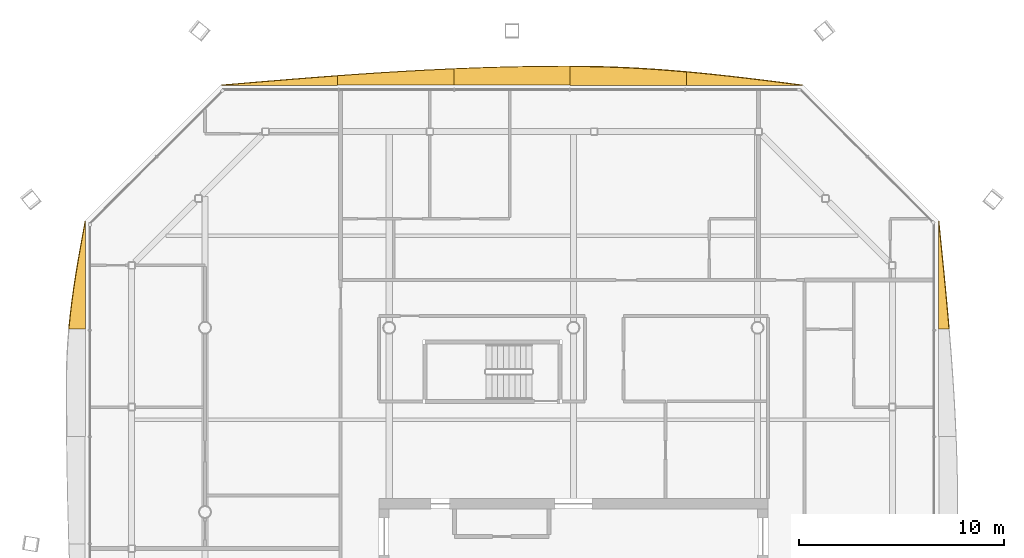
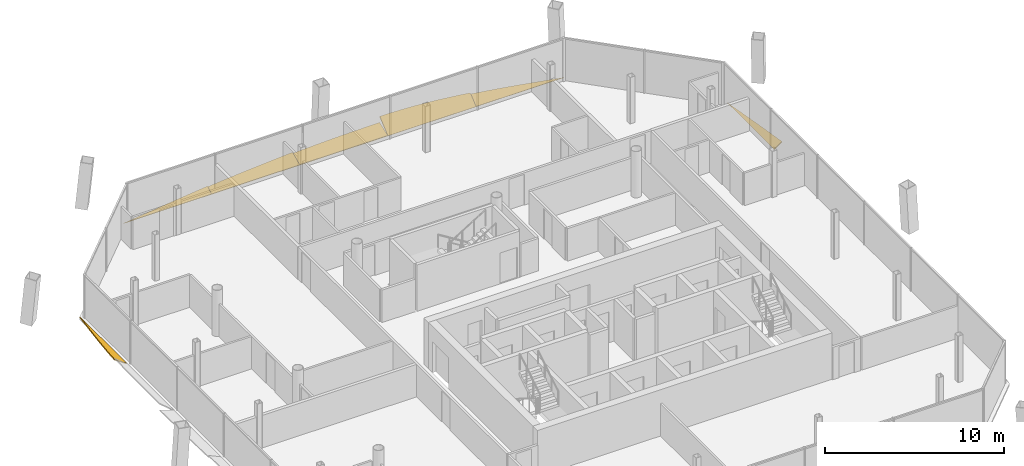
# One storey, part 20 of 20: 7 shading devices.
"""IFC4 building model written with IfcOpenShell, lengths in metres."""

import ifcopenshell
import ifcopenshell.guid

model = None  # the IFC model being written
_history = None  # IfcOwnerHistory: only IFC2X3 demands one
_inside = {}  # id of a spatial element -> (the spatial element, [elements in it])
_under = {}  # id of a project, library or spatial element -> (it, [spatial elements below it])
_declared = {}  # id of a project -> (the project, [libraries it declares])
_typed = {}  # id of a type object -> (the type object, [elements of that type])
_made_of = {}  # id of a material, layer set ... -> (it, [elements and type objects made of it])


def new_model(schema):
    """Start an empty IFC model of exactly this schema.

    Asked for "IFC4X3", IfcOpenShell would pick the latest addendum, in which some entities
    have other attributes; the version numbers below select the first issue.
    IFC2X3 requires an IfcOwnerHistory on every rooted entity: one is made here for all.
    """
    global model, _history
    if schema == "IFC4X3":
        model = ifcopenshell.file(schema_version=(4, 3, 0, 0))
    else:
        model = ifcopenshell.file(schema=schema)
    _inside.clear()
    _under.clear()
    _declared.clear()
    _typed.clear()
    _made_of.clear()
    _history = None
    if model.schema == "IFC2X3":
        org = make("IfcOrganization", Name="unknown")
        user = make(
            "IfcPersonAndOrganization",
            ThePerson=make("IfcPerson", FamilyName="unknown"),
            TheOrganization=org,
        )
        app = make(
            "IfcApplication",
            ApplicationDeveloper=org,
            Version="unknown",
            ApplicationFullName="unknown",
            ApplicationIdentifier="unknown",
        )
        _history = make(
            "IfcOwnerHistory",
            OwningUser=user,
            OwningApplication=app,
            ChangeAction="ADDED",
            CreationDate=0,
        )
    return model


def make(cls, **values):
    """One entity of the class cls with the attributes given. An attribute that is None is left unset."""
    return model.create_entity(
        cls, **{name: value for name, value in values.items() if value is not None}
    )


def rooted(cls, **values):
    """An entity with a GlobalId (a new one), such as an element, a storey or a relation."""
    return make(cls, GlobalId=ifcopenshell.guid.new(), OwnerHistory=_history, **values)


def si_unit(unit_type, name, prefix=None):
    """IfcSIUnit, for example si_unit("LENGTHUNIT", "METRE", prefix="MILLI")."""
    return make("IfcSIUnit", UnitType=unit_type, Prefix=prefix, Name=name)


def assignment(units):
    """IfcUnitAssignment: the units of a project."""
    return None if units is None else make("IfcUnitAssignment", Units=units)


def point(xyz):
    """IfcCartesianPoint."""
    return None if xyz is None else make("IfcCartesianPoint", Coordinates=xyz)


def direction(xyz):
    """IfcDirection."""
    return None if xyz is None else make("IfcDirection", DirectionRatios=xyz)


def frame(location, z_axis=None, x_axis=None):
    """IfcAxis2Placement3D, a coordinate frame: its origin and axes. An axis left out is left unset."""
    return make(
        "IfcAxis2Placement3D",
        Location=point(location),
        Axis=direction(z_axis),
        RefDirection=direction(x_axis),
    )


def origin():
    """The frame at (0, 0, 0) with its axes left unset."""
    return frame((0.0, 0.0, 0.0))


def place(relative_to, where):
    """IfcLocalPlacement: puts the frame where relative to a parent placement (None: the world)."""
    return make(
        "IfcLocalPlacement", PlacementRelTo=relative_to, RelativePlacement=where
    )


def context(
    kind, dimensions, precision=None, world=None, true_north=None, identifier=None
):
    """IfcGeometricRepresentationContext, for example the 3D "Model" context."""
    return make(
        "IfcGeometricRepresentationContext",
        ContextIdentifier=identifier,
        ContextType=kind,
        CoordinateSpaceDimension=dimensions,
        Precision=precision,
        WorldCoordinateSystem=world,
        TrueNorth=true_north,
    )


def subcontext(parent, identifier, kind, view, scale=None):
    """IfcGeometricRepresentationSubContext, for example "Body" below "Model"."""
    return make(
        "IfcGeometricRepresentationSubContext",
        ContextIdentifier=identifier,
        ContextType=kind,
        ParentContext=parent,
        TargetScale=scale,
        TargetView=view,
    )


def project(units=None, contexts=None):
    """IfcProject with its units and contexts."""
    return rooted(
        "IfcProject",
        Name="project",
        RepresentationContexts=contexts,
        UnitsInContext=assignment(units),
    )


def spatial(cls, under=None, at=None, **own):
    """A site, building, storey or space (cls), placed at a placement, below another one or the project."""
    s = rooted(cls, ObjectPlacement=at, **own)
    if under is not None:
        _under.setdefault(under.id(), (under, []))[1].append(s)
    return s


def polyline(points):
    """IfcPolyline through the points."""
    return make("IfcPolyline", Points=[point(p) for p in points])


def outline(outer, holes=None, kind="AREA"):
    """IfcArbitraryClosedProfileDef: a profile drawn as a closed curve; with holes, ...WithVoids."""
    if holes is None:
        return make("IfcArbitraryClosedProfileDef", ProfileType=kind, OuterCurve=outer)
    return make(
        "IfcArbitraryProfileDefWithVoids",
        ProfileType=kind,
        OuterCurve=outer,
        InnerCurves=holes,
    )


def extrude(swept, where, along, depth):
    """IfcExtrudedAreaSolid: the profile swept, set in the frame where, extruded along a direction by depth."""
    return make(
        "IfcExtrudedAreaSolid",
        SweptArea=swept,
        Position=where,
        ExtrudedDirection=direction(along),
        Depth=depth,
    )


def shape(context_of_items, identifier, shape_type, items):
    """IfcShapeRepresentation: the items that make up one representation, for example the "Body"."""
    return make(
        "IfcShapeRepresentation",
        ContextOfItems=context_of_items,
        RepresentationIdentifier=identifier,
        RepresentationType=shape_type,
        Items=items,
    )


def material(Name=None, Category=None):
    """IfcMaterial."""
    return make("IfcMaterial", Name=Name, Category=Category)


def layer(
    of_material, thickness, ventilated=None, Name=None, Category=None, Priority=None
):
    """IfcMaterialLayer: one layer of a wall or slab, of a material (None: an air gap)."""
    return make(
        "IfcMaterialLayer",
        Material=of_material,
        LayerThickness=thickness,
        IsVentilated=ventilated,
        Name=Name,
        Category=Category,
        Priority=Priority,
    )


def layer_set(layers, Name=None):
    """IfcMaterialLayerSet."""
    return make("IfcMaterialLayerSet", MaterialLayers=layers, LayerSetName=Name)


def made_of(thing, what):
    """Note that an element or type object is made of a material, layer set ...; save() writes the relation."""
    if what is not None:
        _made_of.setdefault(what.id(), (what, []))[1].append(thing)
    return thing


def type_object(cls, material=None, **own):
    """A type object (cls), such as IfcWallType, which elements share."""
    return made_of(rooted(cls, **own), material)


def element(
    cls,
    number,
    at=None,
    inside=None,
    cuts=None,
    type_object=None,
    material=None,
    context=None,
    identifier="Body",
    shape_type=None,
    held_by="IfcProductDefinitionShape",
    body=None,
    shapes=None,
    **own,
):
    """One element of the class cls, such as IfcWall. Its Tag is "e" and its number.

    at: its placement. inside: the storey or other place that contains it. cuts: it is an
    opening in that element (IfcRelVoidsElement). A single representation is given by context,
    identifier, shape_type and body (its items); several are given by shapes. held_by: the class
    of the entity that holds the representations. save() writes the other relations.
    """
    e = rooted(cls, Tag="e%d" % number, ObjectPlacement=at, **own)
    if body is not None:
        shapes = [shape(context, identifier, shape_type, body)]
    if shapes is not None:
        e.Representation = make(held_by, Representations=shapes)
    if inside is not None:
        _inside.setdefault(inside.id(), (inside, []))[1].append(e)
    if cuts is not None:
        rooted(
            "IfcRelVoidsElement", RelatingBuildingElement=cuts, RelatedOpeningElement=e
        )
    if type_object is not None:
        _typed.setdefault(type_object.id(), (type_object, []))[1].append(e)
    return made_of(e, material)


def aggregate(whole, parts):
    """IfcRelAggregates: a whole, such as a stair, and the parts it consists of."""
    return rooted("IfcRelAggregates", RelatingObject=whole, RelatedObjects=parts)


def save(model, path):
    """Write the relations noted so far, then the file.

    IfcRelAggregates (storeys below a building ...), IfcRelContainedInSpatialStructure (elements
    in a storey), IfcRelDefinesByType, IfcRelAssociatesMaterial and IfcRelDeclares: one each for
    every whole, place, type object, material and project.
    """
    for whole, parts in _under.values():
        aggregate(whole, parts)
    for where, things in _inside.values():
        rooted(
            "IfcRelContainedInSpatialStructure",
            RelatedElements=things,
            RelatingStructure=where,
        )
    for kind, things in _typed.values():
        rooted("IfcRelDefinesByType", RelatedObjects=things, RelatingType=kind)
    for what, things in _made_of.values():
        rooted("IfcRelAssociatesMaterial", RelatedObjects=things, RelatingMaterial=what)
    for by, libraries in _declared.values():
        rooted("IfcRelDeclares", RelatingContext=by, RelatedDefinitions=libraries)
    model.write(path)


model = new_model("IFC4")

# Units and contexts
model_context = context("Model", 3, precision=1e-05, world=origin(), true_north=direction((0.0, 1.0)))
body_context = subcontext(model_context, "Body", "Model", "MODEL_VIEW")
ifc_project = project(units=[si_unit("LENGTHUNIT", "METRE"), si_unit("AREAUNIT", "SQUARE_METRE"), si_unit("VOLUMEUNIT", "CUBIC_METRE"), si_unit("PLANEANGLEUNIT", "RADIAN"), si_unit("MASSUNIT", "GRAM", prefix="KILO")], contexts=[model_context])

# Site, building, storey
site_placement = place(None, origin())
site = spatial("IfcSite", under=ifc_project, at=site_placement, CompositionType="ELEMENT")
building_placement = place(site_placement, origin())
building = spatial("IfcBuilding", under=site, at=building_placement, Name="Tskaro Facet Tower", CompositionType="ELEMENT")
storey_placement = place(building_placement, frame((0.0, 0.0, 184.800048828125)))
storey = spatial("IfcBuildingStorey", under=building, at=storey_placement, Name="L46", CompositionType="ELEMENT", Elevation=184.800048828125)

# Shading devices
ifc_material = material(Name="Bronze anodised aluminium 6063-T6", Category="aluminium")
ifc_layer = layer(ifc_material, 0.06005859375, Name="Bronze anodised aluminium 6063-T6")
ifc_layer_set = layer_set([ifc_layer], Name="Bronze anodised aluminium 6063-T6")
shading_device_type = type_object("IfcShadingDeviceType", Name="Bronze sun blade (FN1)", PredefinedType="USERDEFINED", material=ifc_layer_set)
shading_device_1_placement = place(storey_placement, frame((17.843505859375, 8.951171875, 0.049072265625), z_axis=(-0.573575494829, -1.2519981e-05, 0.819152703453), x_axis=(-7.181154e-06, 0.999999999922, 1.0255776e-05)))
element("IfcShadingDevice", 1, at=shading_device_1_placement, inside=storey, type_object=shading_device_type, Name="Fin blade east 6", ObjectType="FIN", PredefinedType="USERDEFINED", context=body_context, shape_type="SweptSolid", body=[
    extrude(outline(polyline([(0.0, 0.0), (5.252929687088302, 4.449404514922736e-21), (4.596191405498696, -0.08134316591338238), (3.939697266287283, -0.16248634337375764), (3.282958984198969, -0.24260945623570151), (2.6264648439901377, -0.3213125275931997), (1.9697265619069768, -0.39845552436644904), (1.3132324227058705, -0.473638469649435), (0.6564941393785142, -0.5462412757497408), (-8.148561121685016e-10, -0.6160039988411552), (0.0, 0.0)])), origin(), (0.0, 0.0, -1.0), 0.06005859375),
])
shading_device_2_placement = place(storey_placement, frame((11.2041015625, 20.843505859375, 0.049072265625), z_axis=(2.6596982e-05, -0.573506101706, 0.819201288206), x_axis=(-0.999999999646, -1.5253531e-05, 2.1788282e-05)))
element("IfcShadingDevice", 2, at=shading_device_2_placement, inside=storey, type_object=shading_device_type, Name="Fin blade north 1", ObjectType="FIN", PredefinedType="USERDEFINED", context=body_context, shape_type="SweptSolid", body=[
    extrude(outline(polyline([(0.0, 0.0), (5.681640622990405, 0.0), (5.681640627175178, -0.7988111343876656), (4.971435543034096, -0.716987933529199), (4.261230466882704, -0.6279244665957959), (3.55102539073978, -0.5329007674366504), (2.8408203140721127, -0.4327968692718074), (2.1306152310270865, -0.32835278918315114), (1.420410151710301, -0.22072859266704936), (0.71020508090795, -0.11094432908170855), (0.0, 0.0)])), origin(), (0.0, 0.0, -1.0), 0.06005859375),
])
shading_device_3_placement = place(storey_placement, frame((5.5224609375, 20.83935546875, 0.0458984375), z_axis=(-9.065808e-06, -0.642756604341, 0.76607045857), x_axis=(-0.999999999959, 5.827108e-06, -6.945048e-06)))
element("IfcShadingDevice", 3, at=shading_device_3_placement, inside=storey, type_object=shading_device_type, Name="Fin blade north 2", ObjectType="FIN", PredefinedType="USERDEFINED", context=body_context, shape_type="SweptSolid", body=[
    extrude(outline(polyline([(0.0, 0.0), (5.6816406247665165, -4.812536803833515e-21), (5.681640625071348, -1.2033532652137753), (5.624755859448686, -1.2033532652137753), (4.971435546255781, -1.198320803496392), (4.261230468788014, -1.1816906876664484), (3.55102539097248, -1.1536198407230571), (2.8408203125362435, -1.114452214585889), (2.130615234901939, -1.0643748381755007), (1.4204101561010634, -1.0038885864106755), (0.7102050772833158, -0.9335244401316409), (-6.745388078733595e-10, -0.854157332098294), (0.0, 0.0)])), origin(), (0.0, 0.0, -1.0), 0.06005859375),
])
shading_device_4_placement = place(storey_placement, frame((-0.1591796875, 20.857421875, 0.056396484375), z_axis=(-6.673398e-06, -0.341912026016, 0.939731965201), x_axis=(-0.999999999978, 2.281715e-06, -6.271206e-06)))
element("IfcShadingDevice", 4, at=shading_device_4_placement, inside=storey, type_object=shading_device_type, Name="Fin blade north 3", ObjectType="FIN", PredefinedType="USERDEFINED", context=body_context, shape_type="SweptSolid", body=[
    extrude(outline(polyline([(0.0, 0.0), (5.681640624873486, 0.0), (5.681640625194608, -0.847703851906776), (4.9714355464259565, -0.8781361900537525), (4.2612304690448095, -0.904855706015853), (3.551025390405993, -0.9274870209101619), (2.840820311623626, -0.946488988235323), (2.1306152346457026, -0.9612358052612359), (1.420410156410109, -0.9718944212193573), (0.7102050784479026, -0.9783813614939589), (-2.149139798902844e-10, -0.981009527450091), (0.0, 0.0)])), origin(), (0.0, 0.0, -1.0), 0.06005859375),
])
shading_device_5_placement = place(storey_placement, frame((-5.8408203125, 20.8525390625, 0.054443359375), z_axis=(-9.337294e-06, -0.422412920172, 0.906403511017), x_axis=(-0.999999999956, 3.944194e-06, -8.463356e-06)))
element("IfcShadingDevice", 5, at=shading_device_5_placement, inside=storey, type_object=shading_device_type, Name="Fin blade north 4", ObjectType="FIN", PredefinedType="USERDEFINED", context=body_context, shape_type="SweptSolid", body=[
    extrude(outline(polyline([(0.0, 0.0), (5.6816406247523235, 2.4062684019167575e-21), (5.681640624901038, -0.5069110202187519), (4.971435546531549, -0.563488462479641), (4.261230468863928, -0.6173373647718969), (3.551025390794861, -0.6687821451695551), (2.840820312464723, -0.7172770956788885), (2.130615233873513, -0.7628222162998974), (1.4204101561245426, -0.8050930889585468), (0.7102050782548736, -0.8438684237351449), (-6.984317195728843e-10, -0.8789269307100003), (0.0, 0.0)])), origin(), (0.0, 0.0, -1.0), 0.06005859375),
])
shading_device_6_placement = place(storey_placement, frame((-11.5224609375, 20.847900390625, 0.052001953125), z_axis=(-2.9257954e-05, -0.499537508551, 0.866292258245), x_axis=(-0.999999999572, 1.4615445e-05, -2.5345939e-05)))
element("IfcShadingDevice", 6, at=shading_device_6_placement, inside=storey, type_object=shading_device_type, Name="Fin blade north 5", ObjectType="FIN", PredefinedType="USERDEFINED", context=body_context, shape_type="SweptSolid", body=[
    extrude(outline(polyline([(0.0, 0.0), (5.681640622568179, 0.0), (4.971435547406259, -0.06955774270571725), (4.261230471295864, -0.13857053374493164), (3.551025394236994, -0.20703837311764314), (2.8408203090932016, -0.2745382665569496), (2.1306152318086578, -0.34103779639710075), (1.420410155246914, -0.40611396837119434), (0.7102050722715226, -0.46934378821232825), (-4.741569708268253e-09, -0.530483341121301), (0.0, 0.0)])), origin(), (0.0, 0.0, -1.0), 0.06005859375),
])
shading_device_7_placement = place(storey_placement, frame((-23.843505859375, 14.2041015625, 0.049072265625), z_axis=(0.573587490097, -3.1517e-08, 0.819144304261), x_axis=(-1.8078e-08, -1.0, -2.5817e-08)))
element("IfcShadingDevice", 7, at=shading_device_7_placement, inside=storey, type_object=shading_device_type, Name="Fin blade west 1", ObjectType="FIN", PredefinedType="USERDEFINED", context=body_context, shape_type="SweptSolid", body=[
    extrude(outline(polyline([(0.0, 0.0), (5.252929687499997, -8.690243193208468e-24), (5.25292968749967, -0.9793781734660207), (4.596435546875538, -0.8976949856080367), (3.9396972656282236, -0.8007711949275834), (3.2832031250020584, -0.6896268686568572), (2.6264648437489457, -0.5669021004674734), (1.969970703122046, -0.4340169303964435), (1.3132324218732612, -0.29361145211538286), (0.6567382812500825, -0.1481257728934991), (0.0, 0.0)])), origin(), (0.0, 0.0, -1.0), 0.06005859375),
])

save(model, "model.ifc")
